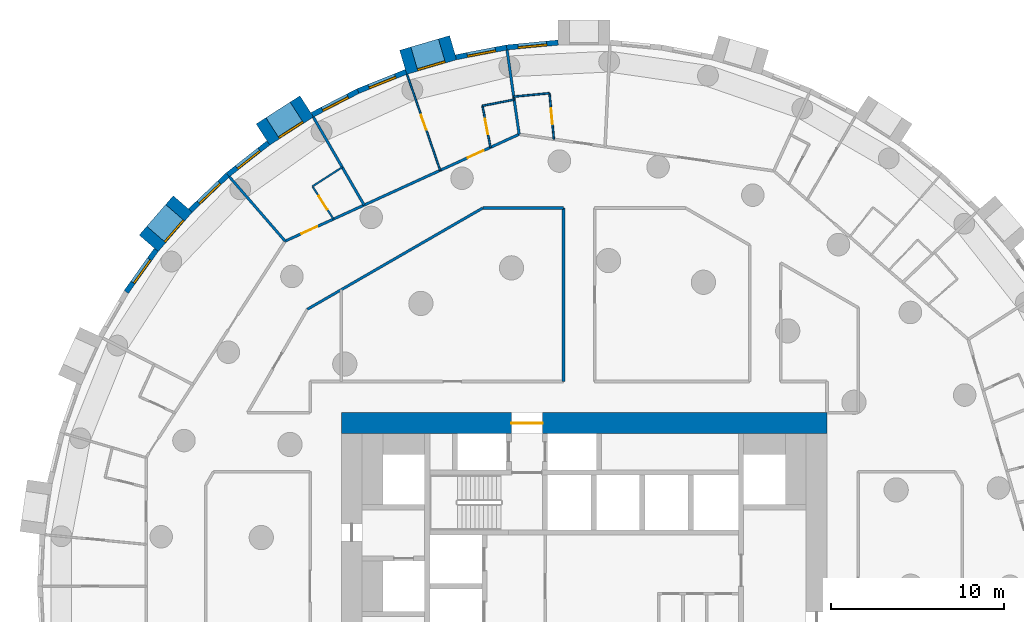
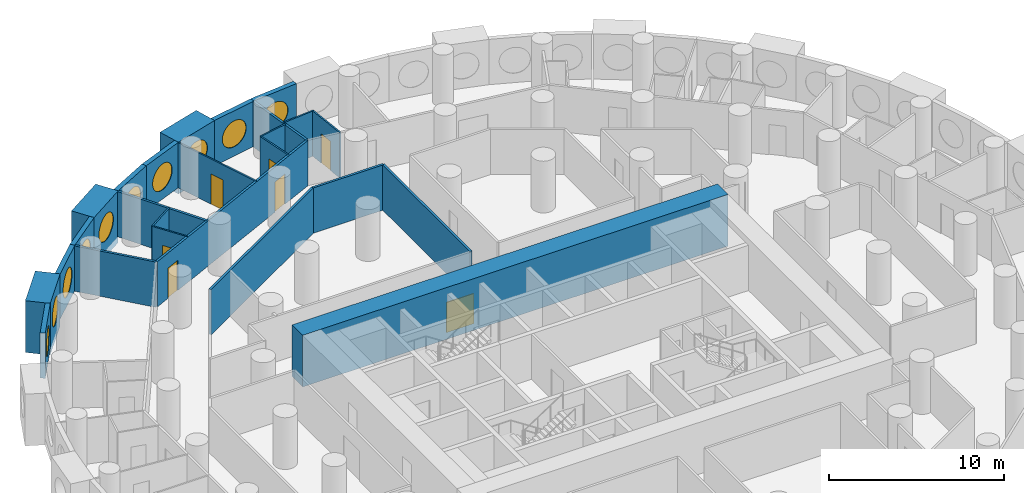
# One storey, part 8 of 12: 25 walls, 10 windows, 7 doors, 17 openings.
"""IFC4 building model written with IfcOpenShell, lengths in metres."""

from ifc_helpers import new_model, si_unit, direction, frame, frame_2d, origin, origin_2d, place, context, subcontext, project, spatial, rectangle, circle, extrude, material, layer, layer_set, type_object, element, fill, save


model = new_model("IFC4")

# Units and contexts
model_context = context("Model", 3, precision=1e-05, world=origin(), true_north=direction((0.0, 1.0)))
body_context = subcontext(model_context, "Body", "Model", "MODEL_VIEW")
ifc_project = project(units=[si_unit("LENGTHUNIT", "METRE"), si_unit("AREAUNIT", "SQUARE_METRE"), si_unit("VOLUMEUNIT", "CUBIC_METRE"), si_unit("PLANEANGLEUNIT", "RADIAN"), si_unit("MASSUNIT", "GRAM", prefix="KILO")], contexts=[model_context])

# Site, building, storey
site_placement = place(None, origin())
site = spatial("IfcSite", under=ifc_project, at=site_placement, CompositionType="ELEMENT")
building_placement = place(site_placement, origin())
building = spatial("IfcBuilding", under=site, at=building_placement, Name="Tracery Tower", CompositionType="ELEMENT")
storey_placement = place(building_placement, frame((0.0, 0.0, 103.800048828125)))
storey = spatial("IfcBuildingStorey", under=building, at=storey_placement, Name="L26", CompositionType="ELEMENT", Elevation=103.800048828125)

# Wall, opening, door
ifc_material_1 = material(Name="Concrete C60/75", Category="concrete")
ifc_layer_1 = layer(ifc_material_1, 1.199951171875)
ifc_layer_set_1 = layer_set([ifc_layer_1], Name="Core wall 1200 C60")
wall_type_1 = type_object("IfcWallType", Name="Core wall 1200 C60", PredefinedType="SOLIDWALL", material=ifc_layer_set_1)
wall_1_placement = place(storey_placement, frame((-14.0, 9.39990234375, 0.0), z_axis=(0.0, 0.0, 1.0), x_axis=(1.0, 0.0, 0.0)))
wall_1 = element("IfcWall", 1, at=wall_1_placement, inside=storey, type_object=wall_type_1, Name="L26 outer N", PredefinedType="SOLIDWALL", context=body_context, shape_type="SweptSolid", body=[
    extrude(rectangle(XDim=28.0, YDim=1.199951171875, at=frame_2d((14.0, 0.0))), origin(), (0.0, 0.0, 1.0), 3.599853515625),
])
opening_1_placement = place(wall_1_placement, frame((9.800048828125, 0.0, 0.0)))
opening_1 = element("IfcOpeningElement", 2, at=opening_1_placement, cuts=wall_1, Name="Opening KD13", PredefinedType="OPENING", context=body_context, shape_type="SweptSolid", body=[
    extrude(rectangle(XDim=1.800048828125, YDim=2.10009765625, at=frame_2d((0.89990234375, 1.050048828125))), frame((0.0, 0.60009765625, 0.0), z_axis=(0.0, -1.0, 0.0), x_axis=(1.0, 0.0, 0.0)), (0.0, 0.0, 1.0), 1.199951171875),
])
ifc_material_2 = material(Name="Steel fire door", Category="steel")
door_type_1 = type_object("IfcDoorType", Name="Core exit door 1800 double", OperationType="NOTDEFINED", PredefinedType="DOOR", material=ifc_material_2)
door_1_placement = place(opening_1_placement, origin())
door_1 = element("IfcDoor", 3, at=door_1_placement, inside=storey, type_object=door_type_1, Name="Core exit door", OperationType="DOUBLE_DOOR_SINGLE_SWING", OverallHeight=2.10009765625, OverallWidth=1.800048828125, PredefinedType="DOOR", context=body_context, shape_type="SweptSolid", body=[
    extrude(rectangle(XDim=1.800048828125, YDim=2.10009765625, at=frame_2d((0.89990234375, 1.050048828125))), frame((0.0, 0.02490234375, 0.0), z_axis=(0.0, -1.0, 0.0), x_axis=(1.0, 0.0, 0.0)), (0.0, 0.0, 1.0), 0.050048828125),
])
fill(opening_1, door_1)

# Wall, opening, window
ifc_material_3 = material(Name="Precast concrete C50/60", Category="concrete")
ifc_layer_2 = layer(ifc_material_3, 1.449951171875)
ifc_layer_set_2 = layer_set([ifc_layer_2], Name="Deep-set bay unit 3000 x 3600, slab edge 450")
wall_type_2 = type_object("IfcWallType", Name="Deep-set bay unit 3000 x 3600, slab edge 450", PredefinedType="ELEMENTEDWALL", material=ifc_layer_set_2)
wall_2_placement = place(storey_placement, frame((-7.552001953125, 31.043701171875, -0.449951171875), z_axis=(0.0, 0.0, 1.0), x_axis=(-0.959489813418, -0.281743319258, 0.0)))
wall_2 = element("IfcWall", 4, at=wall_2_placement, inside=storey, type_object=wall_type_2, Name="Deep-set bay unit 20 at L26", PredefinedType="ELEMENTEDWALL", context=body_context, shape_type="SweptSolid", body=[
    extrude(rectangle(XDim=3.0, YDim=1.449951171875, at=frame_2d((1.5, 0.0))), origin(), (0.0, 0.0, 1.0), 3.599853515625),
])
opening_2_placement = place(wall_2_placement, frame((1.5, 0.0, 2.0)))
opening_2 = element("IfcOpeningElement", 5, at=opening_2_placement, cuts=wall_2, Name="Opening WN1", PredefinedType="OPENING", context=body_context, shape_type="SweptSolid", body=[
    extrude(circle(Radius=0.9000244140625, at=origin_2d()), frame((0.0, 0.73486328125, 0.0), z_axis=(0.0, -1.0, 0.0), x_axis=(1.0, 0.0, 0.0)), (0.0, 0.0, 1.0), 1.469970703125),
])
ifc_material_4 = material(Name="Aluminium frame with tinted double glazing", Category="aluminium")
window_type = type_object("IfcWindowType", Name="Round window 1800", PartitioningType="SINGLE_PANEL", PredefinedType="WINDOW", material=ifc_material_4)
window_1_placement = place(opening_2_placement, origin())
window_1 = element("IfcWindow", 6, at=window_1_placement, inside=storey, type_object=window_type, Name="Round window 20 at L26", OverallHeight=1.800048828125, OverallWidth=1.800048828125, PartitioningType="SINGLE_PANEL", PredefinedType="WINDOW", context=body_context, shape_type="SweptSolid", body=[
    extrude(circle(Radius=0.9000244140625, at=origin_2d()), frame((0.0, 0.69482421875, 0.0), z_axis=(0.0, -1.0, 0.0), x_axis=(1.0, 0.0, 0.0)), (0.0, 0.0, 1.0), 0.10009765625),
])
fill(opening_2, window_1)

wall_3_placement = place(storey_placement, frame((-15.9921875, 27.65869140625, -0.449951171875), z_axis=(0.0, 0.0, 1.0), x_axis=(-0.841223422347, -0.540687667415, 0.0)))
wall_3 = element("IfcWall", 7, at=wall_3_placement, inside=storey, type_object=wall_type_2, Name="Deep-set bay unit 23 at L26", PredefinedType="ELEMENTEDWALL", context=body_context, shape_type="SweptSolid", body=[
    extrude(rectangle(XDim=3.0, YDim=1.449951171875, at=frame_2d((1.5, 0.0))), origin(), (0.0, 0.0, 1.0), 3.599853515625),
])
opening_3_placement = place(wall_3_placement, frame((1.5, 0.0, 2.0)))
opening_3 = element("IfcOpeningElement", 8, at=opening_3_placement, cuts=wall_3, Name="Opening WN1", PredefinedType="OPENING", context=body_context, shape_type="SweptSolid", body=[
    extrude(circle(Radius=0.9000244140625, at=origin_2d()), frame((0.0, 0.73486328125, 0.0), z_axis=(0.0, -1.0, 0.0), x_axis=(1.0, 0.0, 0.0)), (0.0, 0.0, 1.0), 1.469970703125),
])
window_2_placement = place(opening_3_placement, origin())
window_2 = element("IfcWindow", 9, at=window_2_placement, inside=storey, type_object=window_type, Name="Round window 23 at L26", OverallHeight=1.800048828125, OverallWidth=1.800048828125, PartitioningType="SINGLE_PANEL", PredefinedType="WINDOW", context=body_context, shape_type="SweptSolid", body=[
    extrude(circle(Radius=0.9000244140625, at=origin_2d()), frame((0.0, 0.69482421875, 0.0), z_axis=(0.0, -1.0, 0.0), x_axis=(1.0, 0.0, 0.0)), (0.0, 0.0, 1.0), 0.10009765625),
])
fill(opening_3, window_2)

wall_4_placement = place(storey_placement, frame((-23.13671875, 22.03271484375, -0.449951171875), z_axis=(0.0, 0.0, 1.0), x_axis=(-0.654890259022, -0.75572398972, 0.0)))
wall_4 = element("IfcWall", 10, at=wall_4_placement, inside=storey, type_object=wall_type_2, Name="Deep-set bay unit 26 at L26", PredefinedType="ELEMENTEDWALL", context=body_context, shape_type="SweptSolid", body=[
    extrude(rectangle(XDim=3.0, YDim=1.449951171875, at=frame_2d((1.5, 0.0))), origin(), (0.0, 0.0, 1.0), 3.599853515625),
])
opening_4_placement = place(wall_4_placement, frame((1.5, 0.0, 2.0)))
opening_4 = element("IfcOpeningElement", 11, at=opening_4_placement, cuts=wall_4, Name="Opening WN1", PredefinedType="OPENING", context=body_context, shape_type="SweptSolid", body=[
    extrude(circle(Radius=0.9000244140625, at=origin_2d()), frame((0.0, 0.73486328125, 0.0), z_axis=(0.0, -1.0, 0.0), x_axis=(1.0, 0.0, 0.0)), (0.0, 0.0, 1.0), 1.469970703125),
])
window_3_placement = place(opening_4_placement, origin())
window_3 = element("IfcWindow", 12, at=window_3_placement, inside=storey, type_object=window_type, Name="Round window 26 at L26", OverallHeight=1.800048828125, OverallWidth=1.800048828125, PartitioningType="SINGLE_PANEL", PredefinedType="WINDOW", context=body_context, shape_type="SweptSolid", body=[
    extrude(circle(Radius=0.9000244140625, at=origin_2d()), frame((0.0, 0.69482421875, 0.0), z_axis=(0.0, -1.0, 0.0), x_axis=(1.0, 0.0, 0.0)), (0.0, 0.0, 1.0), 0.10009765625),
])
fill(opening_4, window_3)

ifc_material_5 = material(Name="Precast concrete C50/60", Category="concrete")
ifc_layer_3 = layer(ifc_material_5, 0.300048828125)
ifc_layer_set_3 = layer_set([ifc_layer_3], Name="Facade panel 3000 x 3150")
wall_type_3 = type_object("IfcWallType", Name="Facade panel 3000 x 3150", PredefinedType="SOLIDWALL", material=ifc_layer_set_3)
wall_5_placement = place(storey_placement, frame((-1.498779296875, 31.33837890625, 0.0), z_axis=(0.0, 0.0, 1.0), x_axis=(-0.995473351551, -0.095041077185, 0.0)))
wall_5 = element("IfcWall", 13, at=wall_5_placement, inside=storey, type_object=wall_type_3, Name="Facade panel 18 at L26", PredefinedType="SOLIDWALL", context=body_context, shape_type="SweptSolid", body=[
    extrude(rectangle(XDim=2.979736328125, YDim=0.300048828125, at=frame_2d((1.48974609375, 0.0))), origin(), (0.0, 0.0, 1.0), 3.14990234375),
])
opening_5_placement = place(wall_5_placement, frame((1.48974609375, 0.0, 1.5498046875)))
opening_5 = element("IfcOpeningElement", 14, at=opening_5_placement, cuts=wall_5, Name="Opening WN1", PredefinedType="OPENING", context=body_context, shape_type="SweptSolid", body=[
    extrude(circle(Radius=0.9000244140625, at=origin_2d()), frame((0.0, 0.159912109375, 0.0), z_axis=(0.0, -1.0, 0.0), x_axis=(1.0, 0.0, 0.0)), (0.0, 0.0, 1.0), 0.320068359375),
])
window_4_placement = place(opening_5_placement, origin())
window_4 = element("IfcWindow", 15, at=window_4_placement, inside=storey, type_object=window_type, Name="Round window 18 at L26", OverallHeight=1.800048828125, OverallWidth=1.800048828125, PartitioningType="SINGLE_PANEL", PredefinedType="WINDOW", context=body_context, shape_type="SweptSolid", body=[
    extrude(circle(Radius=0.9000244140625, at=origin_2d()), frame((0.0, 0.1201171875, 0.0), z_axis=(0.0, -1.0, 0.0), x_axis=(1.0, 0.0, 0.0)), (0.0, 0.0, 1.0), 0.10009765625),
])
fill(opening_5, window_4)

wall_6_placement = place(storey_placement, frame((-4.465087890625, 31.05517578125, 0.0), z_axis=(0.0, 0.0, 1.0), x_axis=(-0.981924535406, -0.189272836848, 0.0)))
wall_6 = element("IfcWall", 16, at=wall_6_placement, inside=storey, type_object=wall_type_3, Name="Facade panel 19 at L26", PredefinedType="SOLIDWALL", context=body_context, shape_type="SweptSolid", body=[
    extrude(rectangle(XDim=2.979736328125, YDim=0.300048828125, at=frame_2d((1.48974609375, 0.0))), origin(), (0.0, 0.0, 1.0), 3.14990234375),
])
opening_6_placement = place(wall_6_placement, frame((1.48974609375, 0.0, 1.5498046875)))
opening_6 = element("IfcOpeningElement", 17, at=opening_6_placement, cuts=wall_6, Name="Opening WN1", PredefinedType="OPENING", context=body_context, shape_type="SweptSolid", body=[
    extrude(circle(Radius=0.9000244140625, at=origin_2d()), frame((0.0, 0.159912109375, 0.0), z_axis=(0.0, -1.0, 0.0), x_axis=(1.0, 0.0, 0.0)), (0.0, 0.0, 1.0), 0.320068359375),
])
window_5_placement = place(opening_6_placement, origin())
window_5 = element("IfcWindow", 18, at=window_5_placement, inside=storey, type_object=window_type, Name="Round window 19 at L26", OverallHeight=1.800048828125, OverallWidth=1.800048828125, PartitioningType="SINGLE_PANEL", PredefinedType="WINDOW", context=body_context, shape_type="SweptSolid", body=[
    extrude(circle(Radius=0.9000244140625, at=origin_2d()), frame((0.0, 0.1201171875, 0.0), z_axis=(0.0, -1.0, 0.0), x_axis=(1.0, 0.0, 0.0)), (0.0, 0.0, 1.0), 0.10009765625),
])
fill(opening_6, window_5)

wall_7_placement = place(storey_placement, frame((-10.26708984375, 29.646484375, 0.0), z_axis=(0.0, 0.0, 1.0), x_axis=(-0.928403213937, -0.371574316054, 0.0)))
wall_7 = element("IfcWall", 19, at=wall_7_placement, inside=storey, type_object=wall_type_3, Name="Facade panel 21 at L26", PredefinedType="SOLIDWALL", context=body_context, shape_type="SweptSolid", body=[
    extrude(rectangle(XDim=2.979736328125, YDim=0.300048828125, at=frame_2d((1.48974609375, 0.0))), origin(), (0.0, 0.0, 1.0), 3.14990234375),
])
opening_7_placement = place(wall_7_placement, frame((1.48974609375, 0.0, 1.5498046875)))
opening_7 = element("IfcOpeningElement", 20, at=opening_7_placement, cuts=wall_7, Name="Opening WN1", PredefinedType="OPENING", context=body_context, shape_type="SweptSolid", body=[
    extrude(circle(Radius=0.9000244140625, at=origin_2d()), frame((0.0, 0.159912109375, 0.0), z_axis=(0.0, -1.0, 0.0), x_axis=(1.0, 0.0, 0.0)), (0.0, 0.0, 1.0), 0.320068359375),
])
window_6_placement = place(opening_7_placement, origin())
window_6 = element("IfcWindow", 21, at=window_6_placement, inside=storey, type_object=window_type, Name="Round window 21 at L26", OverallHeight=1.800048828125, OverallWidth=1.800048828125, PartitioningType="SINGLE_PANEL", PredefinedType="WINDOW", context=body_context, shape_type="SweptSolid", body=[
    extrude(circle(Radius=0.9000244140625, at=origin_2d()), frame((0.0, 0.1201171875, 0.0), z_axis=(0.0, -1.0, 0.0), x_axis=(1.0, 0.0, 0.0)), (0.0, 0.0, 1.0), 0.10009765625),
])
fill(opening_7, window_6)

wall_8_placement = place(storey_placement, frame((-13.033447265625, 28.539306640625, 0.0), z_axis=(0.0, 0.0, 1.0), x_axis=(-0.888819853856, -0.458256770153, 0.0)))
wall_8 = element("IfcWall", 22, at=wall_8_placement, inside=storey, type_object=wall_type_3, Name="Facade panel 22 at L26", PredefinedType="SOLIDWALL", context=body_context, shape_type="SweptSolid", body=[
    extrude(rectangle(XDim=2.979736328125, YDim=0.300048828125, at=frame_2d((1.48974609375, 0.0))), origin(), (0.0, 0.0, 1.0), 3.14990234375),
])
opening_8_placement = place(wall_8_placement, frame((1.48974609375, 0.0, 1.5498046875)))
opening_8 = element("IfcOpeningElement", 23, at=opening_8_placement, cuts=wall_8, Name="Opening WN1", PredefinedType="OPENING", context=body_context, shape_type="SweptSolid", body=[
    extrude(circle(Radius=0.9000244140625, at=origin_2d()), frame((0.0, 0.159912109375, 0.0), z_axis=(0.0, -1.0, 0.0), x_axis=(1.0, 0.0, 0.0)), (0.0, 0.0, 1.0), 0.320068359375),
])
window_7_placement = place(opening_8_placement, origin())
window_7 = element("IfcWindow", 24, at=window_7_placement, inside=storey, type_object=window_type, Name="Round window 22 at L26", OverallHeight=1.800048828125, OverallWidth=1.800048828125, PartitioningType="SINGLE_PANEL", PredefinedType="WINDOW", context=body_context, shape_type="SweptSolid", body=[
    extrude(circle(Radius=0.9000244140625, at=origin_2d()), frame((0.0, 0.1201171875, 0.0), z_axis=(0.0, -1.0, 0.0), x_axis=(1.0, 0.0, 0.0)), (0.0, 0.0, 1.0), 0.10009765625),
])
fill(opening_8, window_7)

wall_9_placement = place(storey_placement, frame((-18.20361328125, 25.55322265625, 0.0), z_axis=(0.0, 0.0, 1.0), x_axis=(-0.786045331304, -0.618168858108, 0.0)))
wall_9 = element("IfcWall", 25, at=wall_9_placement, inside=storey, type_object=wall_type_3, Name="Facade panel 24 at L26", PredefinedType="SOLIDWALL", context=body_context, shape_type="SweptSolid", body=[
    extrude(rectangle(XDim=2.979736328125, YDim=0.300048828125, at=frame_2d((1.48974609375, 0.0))), origin(), (0.0, 0.0, 1.0), 3.14990234375),
])
opening_9_placement = place(wall_9_placement, frame((1.48974609375, 0.0, 1.5498046875)))
opening_9 = element("IfcOpeningElement", 26, at=opening_9_placement, cuts=wall_9, Name="Opening WN1", PredefinedType="OPENING", context=body_context, shape_type="SweptSolid", body=[
    extrude(circle(Radius=0.9000244140625, at=origin_2d()), frame((0.0, 0.159912109375, 0.0), z_axis=(0.0, -1.0, 0.0), x_axis=(1.0, 0.0, 0.0)), (0.0, 0.0, 1.0), 0.320068359375),
])
window_8_placement = place(opening_9_placement, origin())
window_8 = element("IfcWindow", 27, at=window_8_placement, inside=storey, type_object=window_type, Name="Round window 24 at L26", OverallHeight=1.800048828125, OverallWidth=1.800048828125, PartitioningType="SINGLE_PANEL", PredefinedType="WINDOW", context=body_context, shape_type="SweptSolid", body=[
    extrude(circle(Radius=0.9000244140625, at=origin_2d()), frame((0.0, 0.1201171875, 0.0), z_axis=(0.0, -1.0, 0.0), x_axis=(1.0, 0.0, 0.0)), (0.0, 0.0, 1.0), 0.10009765625),
])
fill(opening_9, window_8)

wall_10_placement = place(storey_placement, frame((-20.5458984375, 23.711181640625, 0.0), z_axis=(0.0, 0.0, 1.0), x_axis=(-0.723744206617, -0.690068346896, 0.0)))
wall_10 = element("IfcWall", 28, at=wall_10_placement, inside=storey, type_object=wall_type_3, Name="Facade panel 25 at L26", PredefinedType="SOLIDWALL", context=body_context, shape_type="SweptSolid", body=[
    extrude(rectangle(XDim=2.979736328125, YDim=0.300048828125, at=frame_2d((1.48974609375, 0.0))), origin(), (0.0, 0.0, 1.0), 3.14990234375),
])
opening_10_placement = place(wall_10_placement, frame((1.48974609375, 0.0, 1.5498046875)))
opening_10 = element("IfcOpeningElement", 29, at=opening_10_placement, cuts=wall_10, Name="Opening WN1", PredefinedType="OPENING", context=body_context, shape_type="SweptSolid", body=[
    extrude(circle(Radius=0.9000244140625, at=origin_2d()), frame((0.0, 0.159912109375, 0.0), z_axis=(0.0, -1.0, 0.0), x_axis=(1.0, 0.0, 0.0)), (0.0, 0.0, 1.0), 0.320068359375),
])
window_9_placement = place(opening_10_placement, origin())
window_9 = element("IfcWindow", 30, at=window_9_placement, inside=storey, type_object=window_type, Name="Round window 25 at L26", OverallHeight=1.800048828125, OverallWidth=1.800048828125, PartitioningType="SINGLE_PANEL", PredefinedType="WINDOW", context=body_context, shape_type="SweptSolid", body=[
    extrude(circle(Radius=0.9000244140625, at=origin_2d()), frame((0.0, 0.1201171875, 0.0), z_axis=(0.0, -1.0, 0.0), x_axis=(1.0, 0.0, 0.0)), (0.0, 0.0, 1.0), 0.10009765625),
])
fill(opening_10, window_9)

wall_11_placement = place(storey_placement, frame((-24.66552734375, 19.389404296875, 0.0), z_axis=(0.0, 0.0, 1.0), x_axis=(-0.580059407678, -0.81457417315, 0.0)))
wall_11 = element("IfcWall", 31, at=wall_11_placement, inside=storey, type_object=wall_type_3, Name="Facade panel 27 at L26", PredefinedType="SOLIDWALL", context=body_context, shape_type="SweptSolid", body=[
    extrude(rectangle(XDim=2.9794921875, YDim=0.300048828125, at=frame_2d((1.48974609375, 0.0))), origin(), (0.0, 0.0, 1.0), 3.14990234375),
])
opening_11_placement = place(wall_11_placement, frame((1.48974609375, 0.0, 1.5498046875)))
opening_11 = element("IfcOpeningElement", 32, at=opening_11_placement, cuts=wall_11, Name="Opening WN1", PredefinedType="OPENING", context=body_context, shape_type="SweptSolid", body=[
    extrude(circle(Radius=0.9000244140625, at=origin_2d()), frame((0.0, 0.159912109375, 0.0), z_axis=(0.0, -1.0, 0.0), x_axis=(1.0, 0.0, 0.0)), (0.0, 0.0, 1.0), 0.320068359375),
])
window_10_placement = place(opening_11_placement, origin())
window_10 = element("IfcWindow", 33, at=window_10_placement, inside=storey, type_object=window_type, Name="Round window 27 at L26", OverallHeight=1.800048828125, OverallWidth=1.800048828125, PartitioningType="SINGLE_PANEL", PredefinedType="WINDOW", context=body_context, shape_type="SweptSolid", body=[
    extrude(circle(Radius=0.9000244140625, at=origin_2d()), frame((0.0, 0.1201171875, 0.0), z_axis=(0.0, -1.0, 0.0), x_axis=(1.0, 0.0, 0.0)), (0.0, 0.0, 1.0), 0.10009765625),
])
fill(opening_11, window_10)

# Wall, opening, door
ifc_material_6 = material(Name="Plasterboard on steel studs", Category="steel")
ifc_layer_4 = layer(ifc_material_6, 0.10009765625)
ifc_layer_set_4 = layer_set([ifc_layer_4], Name="Partition 100 stud")
wall_type_4 = type_object("IfcWallType", Name="Partition 100 stud", PredefinedType="PARTITIONING", material=ifc_layer_set_4)
wall_12_placement = place(storey_placement, frame((-10.2119140625, 29.507080078125, 0.0), z_axis=(0.0, 0.0, 1.0), x_axis=(0.32692444056, -0.94505048022, 0.0)))
wall_12 = element("IfcWall", 34, at=wall_12_placement, inside=storey, type_object=wall_type_4, Name="Stud partition RA8-087", PredefinedType="PARTITIONING", context=body_context, shape_type="SweptSolid", body=[
    extrude(rectangle(XDim=5.85693359375, YDim=0.10009765625, at=frame_2d((2.928466796875, 0.0))), origin(), (0.0, 0.0, 1.0), 3.14990234375),
])
opening_12_placement = place(wall_12_placement, frame((2.47900390625, 0.0, 0.0)))
opening_12 = element("IfcOpeningElement", 35, at=opening_12_placement, cuts=wall_12, Name="Opening RA8-27", PredefinedType="OPENING", context=body_context, shape_type="SweptSolid", body=[
    extrude(rectangle(XDim=0.89990234375, YDim=2.10009765625, at=frame_2d((0.449951171875, 1.050048828125))), frame((0.0, 0.050048828125, 0.0), z_axis=(0.0, -1.0, 0.0), x_axis=(1.0, 0.0, 0.0)), (0.0, 0.0, 1.0), 0.10009765625),
])
ifc_material_7 = material(Name="Timber door leaf", Category="wood")
door_type_2 = type_object("IfcDoorType", Name="Door bedroom 900", OperationType="NOTDEFINED", PredefinedType="DOOR", material=ifc_material_7)
door_2_placement = place(opening_12_placement, origin())
door_2 = element("IfcDoor", 36, at=door_2_placement, inside=storey, type_object=door_type_2, Name="Bedroom door RA8-27", OperationType="SINGLE_SWING_LEFT", OverallHeight=2.10009765625, OverallWidth=0.89990234375, PredefinedType="DOOR", context=body_context, shape_type="SweptSolid", body=[
    extrude(rectangle(XDim=0.89990234375, YDim=2.10009765625, at=frame_2d((0.449951171875, 1.050048828125))), frame((0.0, 0.02490234375, 0.0), z_axis=(0.0, -1.0, 0.0), x_axis=(1.0, 0.0, 0.0)), (0.0, 0.0, 1.0), 0.050048828125),
])
fill(opening_12, door_2)

ifc_material_8 = material(Name="Plasterboard on steel studs", Category="steel")
ifc_layer_5 = layer(ifc_material_8, 0.10009765625)
ifc_layer_set_5 = layer_set([ifc_layer_5], Name="Partition 100 wet wall")
wall_type_5 = type_object("IfcWallType", Name="Partition 100 wet wall", PredefinedType="PARTITIONING", material=ifc_layer_set_5)
wall_13_placement = place(storey_placement, frame((-1.99609375, 28.41796875, 0.0), z_axis=(0.0, 0.0, 1.0), x_axis=(0.094925726797, -0.995484357683, 0.0)))
wall_13 = element("IfcWall", 37, at=wall_13_placement, inside=storey, type_object=wall_type_5, Name="Wet wall RA8-084", PredefinedType="PARTITIONING", context=body_context, shape_type="SweptSolid", body=[
    extrude(rectangle(XDim=2.6669921875, YDim=0.10009765625, at=frame_2d((1.33349609375, 0.0))), origin(), (0.0, 0.0, 1.0), 3.14990234375),
])
opening_13_placement = place(wall_13_placement, frame((0.883056640625, 0.0, 0.0)))
opening_13 = element("IfcOpeningElement", 38, at=opening_13_placement, cuts=wall_13, Name="Opening RA8-25", PredefinedType="OPENING", context=body_context, shape_type="SweptSolid", body=[
    extrude(rectangle(XDim=0.89990234375, YDim=2.0400390625, at=frame_2d((0.449951171875, 1.02001953125))), frame((0.0, 0.050048828125, 0.0), z_axis=(0.0, -1.0, 0.0), x_axis=(1.0, 0.0, 0.0)), (0.0, 0.0, 1.0), 0.10009765625),
])
ifc_material_9 = material(Name="Timber door leaf", Category="wood")
door_type_3 = type_object("IfcDoorType", Name="Door en-suite 900", OperationType="NOTDEFINED", PredefinedType="DOOR", material=ifc_material_9)
door_3_placement = place(opening_13_placement, origin())
door_3 = element("IfcDoor", 39, at=door_3_placement, inside=storey, type_object=door_type_3, Name="En-suite door RA8-25", OperationType="SINGLE_SWING_RIGHT", OverallHeight=2.0400390625, OverallWidth=0.89990234375, PredefinedType="DOOR", context=body_context, shape_type="SweptSolid", body=[
    extrude(rectangle(XDim=0.89990234375, YDim=2.0400390625, at=frame_2d((0.449951171875, 1.02001953125))), frame((0.0, 0.02490234375, 0.0), z_axis=(0.0, -1.0, 0.0), x_axis=(1.0, 0.0, 0.0)), (0.0, 0.0, 1.0), 0.050048828125),
])
fill(opening_13, door_3)

# Walls
wall_14_placement = place(storey_placement, frame((-4.05810546875, 28.220947265625, 0.0), z_axis=(0.0, 0.0, 1.0), x_axis=(0.995466291052, 0.095115000814, 0.0)))
element("IfcWall", 40, at=wall_14_placement, inside=storey, type_object=wall_type_5, Name="Wet wall RA8-085", PredefinedType="PARTITIONING", context=body_context, shape_type="SweptSolid", body=[
    extrude(rectangle(XDim=2.0712890625, YDim=0.10009765625, at=frame_2d((1.03564453125, 0.0))), origin(), (0.0, 0.0, 1.0), 3.14990234375),
])
wall_15_placement = place(storey_placement, frame((-5.861083984375, 27.694091796875, 0.0), z_axis=(0.0, 0.0, 1.0), x_axis=(0.981879093558, 0.189508431565, 0.0)))
element("IfcWall", 41, at=wall_15_placement, inside=storey, type_object=wall_type_5, Name="Wet wall RA8-088", PredefinedType="PARTITIONING", context=body_context, shape_type="SweptSolid", body=[
    extrude(rectangle(XDim=1.86279296875, YDim=0.10009765625, at=frame_2d((0.931396484375, 0.0))), origin(), (0.0, 0.0, 1.0), 3.14990234375),
])

# Wall, opening, door
wall_16_placement = place(storey_placement, frame((-5.861083984375, 27.694091796875, 0.0), z_axis=(0.0, 0.0, 1.0), x_axis=(0.189229262293, -0.981932933704, 0.0)))
wall_16 = element("IfcWall", 42, at=wall_16_placement, inside=storey, type_object=wall_type_5, Name="Wet wall RA8-089", PredefinedType="PARTITIONING", context=body_context, shape_type="SweptSolid", body=[
    extrude(rectangle(XDim=2.4423828125, YDim=0.10009765625, at=frame_2d((1.22119140625, 0.0))), origin(), (0.0, 0.0, 1.0), 3.14990234375),
])
opening_14_placement = place(wall_16_placement, frame((0.77099609375, 0.0, 0.0)))
opening_14 = element("IfcOpeningElement", 43, at=opening_14_placement, cuts=wall_16, Name="Opening RA8-28", PredefinedType="OPENING", context=body_context, shape_type="SweptSolid", body=[
    extrude(rectangle(XDim=0.89990234375, YDim=2.0, at=frame_2d((0.449951171875, 1.0))), frame((0.0, 0.050048828125, 0.0), z_axis=(0.0, -1.0, 0.0), x_axis=(1.0, 0.0, 0.0)), (0.0, 0.0, 1.0), 0.10009765625),
])
ifc_material_10 = material(Name="Timber door leaf", Category="wood")
door_type_4 = type_object("IfcDoorType", Name="Door shower room 900", OperationType="NOTDEFINED", PredefinedType="DOOR", material=ifc_material_10)
door_4_placement = place(opening_14_placement, origin())
door_4 = element("IfcDoor", 44, at=door_4_placement, inside=storey, type_object=door_type_4, Name="Shower room door RA8-28", OperationType="SINGLE_SWING_LEFT", OverallHeight=2.0, OverallWidth=0.89990234375, PredefinedType="DOOR", context=body_context, shape_type="SweptSolid", body=[
    extrude(rectangle(XDim=0.89990234375, YDim=2.0, at=frame_2d((0.449951171875, 1.0))), frame((0.0, 0.02490234375, 0.0), z_axis=(0.0, -1.0, 0.0), x_axis=(1.0, 0.0, 0.0)), (0.0, 0.0, 1.0), 0.050048828125),
])
fill(opening_14, door_4)

# Wall
wall_17_placement = place(storey_placement, frame((-15.660888671875, 23.048095703125, 0.0), z_axis=(0.0, 0.0, 1.0), x_axis=(0.84110074148, 0.540878491606, 0.0)))
element("IfcWall", 45, at=wall_17_placement, inside=storey, type_object=wall_type_5, Name="Wet wall RA8-091", PredefinedType="PARTITIONING", context=body_context, shape_type="SweptSolid", body=[
    extrude(rectangle(XDim=2.041015625, YDim=0.10009765625, at=frame_2d((1.0205078125, 0.0))), origin(), (0.0, 0.0, 1.0), 3.14990234375),
])

# Wall, opening, door
wall_18_placement = place(storey_placement, frame((-15.660888671875, 23.048095703125, 0.0), z_axis=(0.0, 0.0, 1.0), x_axis=(0.540796133976, -0.841153696702, 0.0)))
wall_18 = element("IfcWall", 46, at=wall_18_placement, inside=storey, type_object=wall_type_5, Name="Wet wall RA8-092", PredefinedType="PARTITIONING", context=body_context, shape_type="SweptSolid", body=[
    extrude(rectangle(XDim=2.240966796875, YDim=0.10009765625, at=frame_2d((1.12060546875, 0.0))), origin(), (0.0, 0.0, 1.0), 3.14990234375),
])
opening_15_placement = place(wall_18_placement, frame((0.6708984375, 0.0, 0.0)))
opening_15 = element("IfcOpeningElement", 47, at=opening_15_placement, cuts=wall_18, Name="Opening RA8-30", PredefinedType="OPENING", context=body_context, shape_type="SweptSolid", body=[
    extrude(rectangle(XDim=0.89990234375, YDim=2.0400390625, at=frame_2d((0.449951171875, 1.02001953125))), frame((0.0, 0.050048828125, 0.0), z_axis=(0.0, -1.0, 0.0), x_axis=(1.0, 0.0, 0.0)), (0.0, 0.0, 1.0), 0.10009765625),
])
door_5_placement = place(opening_15_placement, origin())
door_5 = element("IfcDoor", 48, at=door_5_placement, inside=storey, type_object=door_type_3, Name="En-suite door RA8-30", OperationType="SINGLE_SWING_RIGHT", OverallHeight=2.0400390625, OverallWidth=0.89990234375, PredefinedType="DOOR", context=body_context, shape_type="SweptSolid", body=[
    extrude(rectangle(XDim=0.89990234375, YDim=2.0400390625, at=frame_2d((0.449951171875, 1.02001953125))), frame((0.0, 0.02490234375, 0.0), z_axis=(0.0, -1.0, 0.0), x_axis=(1.0, 0.0, 0.0)), (0.0, 0.0, 1.0), 0.050048828125),
])
fill(opening_15, door_5)

# Walls
ifc_material_11 = material(Name="Plasterboard on steel studs", Category="steel")
ifc_layer_6 = layer(ifc_material_11, 0.14990234375)
ifc_layer_set_6 = layer_set([ifc_layer_6], Name="Partition 150 acoustic unit wall")
wall_type_6 = type_object("IfcWallType", Name="Partition 150 acoustic unit wall", PredefinedType="PARTITIONING", material=ifc_layer_set_6)
wall_19_placement = place(storey_placement, frame((-4.444091796875, 30.906005859375, 0.0), z_axis=(0.0, 0.0, 1.0), x_axis=(0.142306296561, -0.989822669956, 0.0)))
element("IfcWall", 49, at=wall_19_placement, inside=storey, type_object=wall_type_6, Name="Unit wall RA8-086", PredefinedType="PARTITIONING", context=body_context, shape_type="SweptSolid", body=[
    extrude(rectangle(XDim=4.90478515625, YDim=0.14990234375, at=frame_2d((2.452392578125, 0.0))), origin(), (0.0, 0.0, 1.0), 3.14990234375),
])
wall_20_placement = place(storey_placement, frame((-15.612060546875, 27.041015625, 0.0), z_axis=(0.0, 0.0, 1.0), x_axis=(0.50008450438, -0.86597660966, 0.0)))
element("IfcWall", 50, at=wall_20_placement, inside=storey, type_object=wall_type_6, Name="Unit wall RA8-090", PredefinedType="PARTITIONING", context=body_context, shape_type="SweptSolid", body=[
    extrude(rectangle(XDim=5.8564453125, YDim=0.14990234375, at=frame_2d((2.92822265625, 0.0))), origin(), (0.0, 0.0, 1.0), 3.14990234375),
])
wall_21_placement = place(storey_placement, frame((-20.447998046875, 23.597900390625, 0.0), z_axis=(0.0, 0.0, 1.0), x_axis=(0.654953271538, -0.755669380153, 0.0)))
element("IfcWall", 51, at=wall_21_placement, inside=storey, type_object=wall_type_6, Name="Unit wall RA8-093", PredefinedType="PARTITIONING", context=body_context, shape_type="SweptSolid", body=[
    extrude(rectangle(XDim=4.90625, YDim=0.14990234375, at=frame_2d((2.453125, 0.0))), origin(), (0.0, 0.0, 1.0), 3.14990234375),
])
ifc_material_12 = material(Name="Plasterboard on steel studs", Category="steel")
ifc_layer_7 = layer(ifc_material_12, 0.14990234375)
ifc_layer_set_7 = layer_set([ifc_layer_7], Name="Partition 150 corridor wall")
wall_type_7 = type_object("IfcWallType", Name="Partition 150 corridor wall", PredefinedType="PARTITIONING", material=ifc_layer_set_7)
wall_22_placement = place(storey_placement, frame((-1.19189453125, 11.800048828125, 0.0), z_axis=(0.0, 0.0, 1.0), x_axis=(0.0, 1.0, 0.0)))
element("IfcWall", 52, at=wall_22_placement, inside=storey, type_object=wall_type_7, Name="Corridor wall RA8-025", PredefinedType="PARTITIONING", context=body_context, shape_type="SweptSolid", body=[
    extrude(rectangle(XDim=10.001953125, YDim=0.14990234375, at=frame_2d((5.0009765625, 0.0))), origin(), (0.0, 0.0, 1.0), 3.14990234375),
])
wall_23_placement = place(storey_placement, frame((-5.842041015625, 21.802001953125, 0.0), z_axis=(0.0, 0.0, 1.0), x_axis=(1.0, 0.0, 0.0)))
element("IfcWall", 53, at=wall_23_placement, inside=storey, type_object=wall_type_7, Name="Corridor wall RA8-026", PredefinedType="PARTITIONING", context=body_context, shape_type="SweptSolid", body=[
    extrude(rectangle(XDim=4.650146484375, YDim=0.14990234375, at=frame_2d((2.3251953125, 0.0))), origin(), (0.0, 0.0, 1.0), 3.14990234375),
])
wall_24_placement = place(storey_placement, frame((-15.960205078125, 15.960205078125, 0.0), z_axis=(0.0, 0.0, 1.0), x_axis=(0.866022730501, 0.500004630234, 0.0)))
element("IfcWall", 54, at=wall_24_placement, inside=storey, type_object=wall_type_7, Name="Corridor wall RA8-027", PredefinedType="PARTITIONING", context=body_context, shape_type="SweptSolid", body=[
    extrude(rectangle(XDim=11.68359375, YDim=0.14990234375, at=frame_2d((5.841796875, 0.0))), origin(), (0.0, 0.0, 1.0), 3.14990234375),
])

# Wall, openings, doors
wall_25_placement = place(storey_placement, frame((-17.235595703125, 19.89111328125, 0.0), z_axis=(0.0, 0.0, 1.0), x_axis=(0.909645678785, 0.415385049163, 0.0)))
wall_25 = element("IfcWall", 55, at=wall_25_placement, inside=storey, type_object=wall_type_7, Name="Corridor wall RA8-035", PredefinedType="PARTITIONING", context=body_context, shape_type="SweptSolid", body=[
    extrude(rectangle(XDim=14.829345703125, YDim=0.14990234375, at=frame_2d((7.41455078125, 0.0))), origin(), (0.0, 0.0, 1.0), 3.14990234375),
])
opening_16_placement = place(wall_25_placement, frame((11.569091796875, 0.0, 0.0)))
opening_16 = element("IfcOpeningElement", 56, at=opening_16_placement, cuts=wall_25, Name="Opening RA8-29", PredefinedType="OPENING", context=body_context, shape_type="SweptSolid", body=[
    extrude(rectangle(XDim=1.0, YDim=2.10009765625, at=frame_2d((0.5, 1.050048828125))), frame((0.0, 0.074951171875, 0.0), z_axis=(0.0, -1.0, 0.0), x_axis=(1.0, 0.0, 0.0)), (0.0, 0.0, 1.0), 0.14990234375),
])
opening_17_placement = place(wall_25_placement, frame((1.033935546875, 0.0, 0.0)))
opening_17 = element("IfcOpeningElement", 57, at=opening_17_placement, cuts=wall_25, Name="Opening RA8-31", PredefinedType="OPENING", context=body_context, shape_type="SweptSolid", body=[
    extrude(rectangle(XDim=1.0, YDim=2.10009765625, at=frame_2d((0.5, 1.050048828125))), frame((0.0, 0.074951171875, 0.0), z_axis=(0.0, -1.0, 0.0), x_axis=(1.0, 0.0, 0.0)), (0.0, 0.0, 1.0), 0.14990234375),
])
ifc_material_13 = material(Name="Timber door leaf", Category="wood")
door_type_5 = type_object("IfcDoorType", Name="Door unit entrance 1000", OperationType="NOTDEFINED", PredefinedType="DOOR", material=ifc_material_13)
door_6_placement = place(opening_16_placement, origin())
door_6 = element("IfcDoor", 58, at=door_6_placement, inside=storey, type_object=door_type_5, Name="Unit entrance door RA8-29", OperationType="SINGLE_SWING_RIGHT", OverallHeight=2.10009765625, OverallWidth=1.0, PredefinedType="DOOR", context=body_context, shape_type="SweptSolid", body=[
    extrude(rectangle(XDim=1.0, YDim=2.10009765625, at=frame_2d((0.5, 1.050048828125))), frame((0.0, 0.02490234375, 0.0), z_axis=(0.0, -1.0, 0.0), x_axis=(1.0, 0.0, 0.0)), (0.0, 0.0, 1.0), 0.050048828125),
])
fill(opening_16, door_6)
door_7_placement = place(opening_17_placement, origin())
door_7 = element("IfcDoor", 59, at=door_7_placement, inside=storey, type_object=door_type_5, Name="Unit entrance door RA8-31", OperationType="SINGLE_SWING_RIGHT", OverallHeight=2.10009765625, OverallWidth=1.0, PredefinedType="DOOR", context=body_context, shape_type="SweptSolid", body=[
    extrude(rectangle(XDim=1.0, YDim=2.10009765625, at=frame_2d((0.5, 1.050048828125))), frame((0.0, 0.02490234375, 0.0), z_axis=(0.0, -1.0, 0.0), x_axis=(1.0, 0.0, 0.0)), (0.0, 0.0, 1.0), 0.050048828125),
])
fill(opening_17, door_7)

save(model, "model.ifc")
